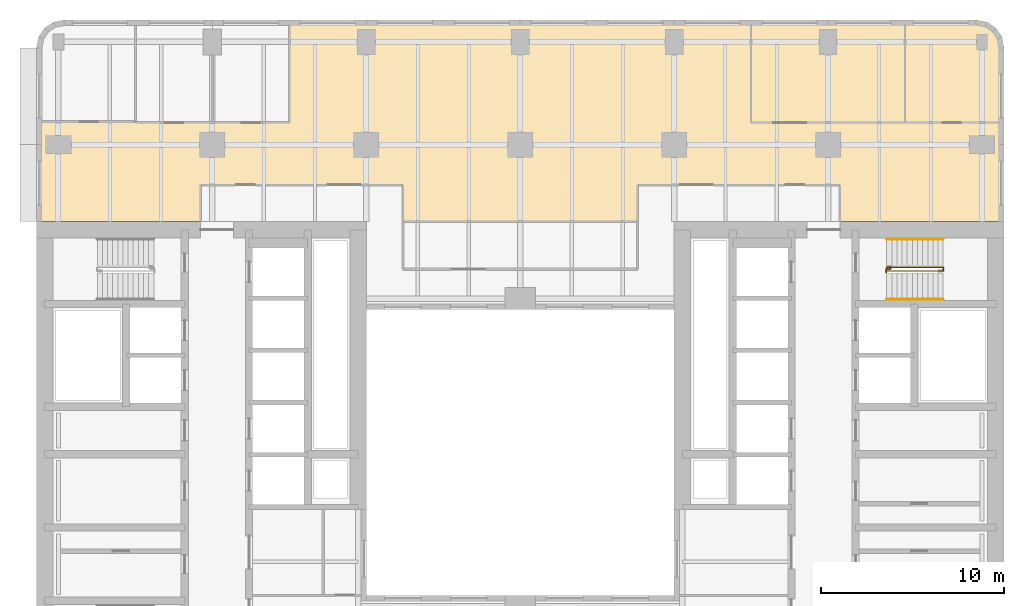
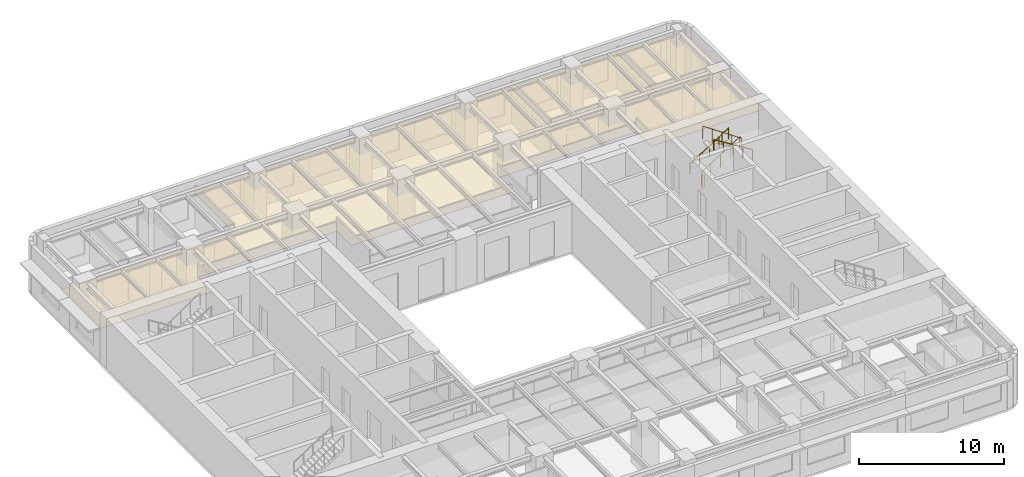
# One storey, part 11 of 11: 4 railings, 3 coverings.
"""IFC4 building model written with IfcOpenShell, lengths in metres."""

from ifc_helpers import new_model, si_unit, direction, frame, origin, origin_2d, place, context, subcontext, project, spatial, polyline, circle, outline, extrude, material, layer, layer_set, type_object, element, save


model = new_model("IFC4")

# Units and contexts
model_context = context("Model", 3, precision=1e-05, world=origin(), true_north=direction((0.0, 1.0)))
body_context = subcontext(model_context, "Body", "Model", "MODEL_VIEW")
ifc_project = project(units=[si_unit("LENGTHUNIT", "METRE"), si_unit("AREAUNIT", "SQUARE_METRE"), si_unit("VOLUMEUNIT", "CUBIC_METRE"), si_unit("PLANEANGLEUNIT", "RADIAN"), si_unit("MASSUNIT", "GRAM", prefix="KILO")], contexts=[model_context])

# Site, building, storey
site_placement = place(None, origin())
site = spatial("IfcSite", under=ifc_project, at=site_placement, CompositionType="ELEMENT")
building_placement = place(site_placement, origin())
building = spatial("IfcBuilding", under=site, at=building_placement, Name="Claustro Exchange Tower", CompositionType="ELEMENT")
storey_placement = place(building_placement, frame((0.0, 0.0, 109.199951171875)))
storey = spatial("IfcBuildingStorey", under=building, at=storey_placement, Name="L24", CompositionType="ELEMENT", Elevation=109.199951171875)

# Coverings
ifc_material_1 = material(Name="Perforated metal ceiling tiles", Category="steel")
ifc_layer_1 = layer(ifc_material_1, 0.030029296875)
ifc_layer_set_1 = layer_set([ifc_layer_1], Name="Perforated metal ceiling tiles")
covering_type_1 = type_object("IfcCoveringType", Name="CL1 suspended metal ceiling", PredefinedType="CEILING", material=ifc_layer_set_1)
covering_1_placement = place(storey_placement, frame((0.0, 0.0, 2.800048828125)))
element("IfcCovering", 1, at=covering_1_placement, inside=storey, type_object=covering_type_1, Name="Ceiling CL1 L24-16", PredefinedType="CEILING", context=body_context, shape_type="SweptSolid", body=[
    extrude(outline(polyline([(-1.199951171875, 43.25), (-1.199951171875, 37.800048828125), (7.75, 37.800048828125), (7.75, 39.800048828125), (16.800048828125, 39.800048828125), (18.800048828125, 39.800048828125), (18.800048828125, 37.800048828125), (31.60009765625, 37.800048828125), (31.60009765625, 39.800048828125), (33.60009765625, 39.800048828125), (42.64990234375, 39.800048828125), (42.64990234375, 37.800048828125), (51.60009765625, 37.800048828125), (51.60009765625, 43.199951171875), (46.199951171875, 43.199951171875), (37.800048828125, 43.199951171875), (37.800048828125, 48.800048828125), (12.60009765625, 48.800048828125), (12.60009765625, 43.199951171875), (8.39990234375, 43.199951171875), (4.199951171875, 43.199951171875), (4.199951171875, 43.25), (-1.199951171875, 43.25)])), origin(), (0.0, 0.0, 1.0), 0.030029296875),
])
ifc_material_2 = material(Name="Gypsum board ceiling", Category="gypsum board")
ifc_layer_2 = layer(ifc_material_2, 0.02490234375)
ifc_layer_set_2 = layer_set([ifc_layer_2], Name="Gypsum board ceiling")
covering_type_2 = type_object("IfcCoveringType", Name="CL2 plasterboard ceiling", PredefinedType="CEILING", material=ifc_layer_set_2)
covering_2_placement = place(storey_placement, frame((0.0, 0.0, 2.800048828125)))
element("IfcCovering", 2, at=covering_2_placement, inside=storey, type_object=covering_type_2, Name="Ceiling CL2 L24-20", PredefinedType="CEILING", context=body_context, shape_type="SweptSolid", body=[
    extrude(outline(polyline([(46.199951171875, 48.800048828125), (37.800048828125, 48.800048828125), (37.800048828125, 43.199951171875), (46.199951171875, 43.199951171875), (46.199951171875, 48.800048828125)])), origin(), (0.0, 0.0, 1.0), 0.02490234375),
])
covering_3_placement = place(storey_placement, frame((0.0, 0.0, 2.800048828125)))
element("IfcCovering", 3, at=covering_3_placement, inside=storey, type_object=covering_type_2, Name="Ceiling CL2 L24-21", PredefinedType="CEILING", context=body_context, shape_type="SweptSolid", body=[
    extrude(outline(polyline([(50.10009765625, 48.800048828125), (46.199951171875, 48.800048828125), (46.199951171875, 43.199951171875), (51.60009765625, 43.199951171875), (51.60009765625, 47.300048828125), (51.48583984375, 47.8740234375), (51.16064453125, 48.360595703125), (50.674072265625, 48.685791015625), (50.10009765625, 48.800048828125)])), origin(), (0.0, 0.0, 1.0), 0.02490234375),
])

# Railings
ifc_material_3 = material(Name="Steel balustrade, painted", Category="steel")
railing_type_1 = type_object("IfcRailingType", Name="GR2 1100 steel stair guard", PredefinedType="GUARDRAIL", material=ifc_material_3)
railing_1_placement = place(storey_placement, frame((45.199951171875, 35.300048828125, 0.175048828125)))
element("IfcRailing", 4, at=railing_1_placement, inside=storey, type_object=railing_type_1, Name="Stair well guard GR2 stair STEB L24", PredefinedType="GUARDRAIL", context=body_context, shape_type="SweptSolid", body=[
    extrude(circle(Radius=0.02392578125, at=origin_2d()), frame((0.0, 0.0, 1.076171875), z_axis=(0.847998304005, 0.0, 0.529998940003), x_axis=(0.0, 1.0, 0.0)), (0.0, 0.0, 1.0), 3.632080078125),
    extrude(circle(Radius=0.02392578125, at=origin_2d()), frame((3.080078125, 0.0, 3.0009765625), z_axis=(0.0, -1.0, 0.0), x_axis=(1.0, 0.0, 0.0)), (0.0, 0.0, 1.0), 0.199951171875),
    extrude(circle(Radius=0.02392578125, at=origin_2d()), frame((3.080078125, -0.199951171875, 3.0009765625), z_axis=(-0.826252282691, 0.0, 0.563300244406), x_axis=(0.0, -1.0, 0.0)), (0.0, 0.0, 1.0), 3.727783203125),
    extrude(circle(Radius=0.02099609375, at=origin_2d()), origin(), (0.0, 0.0, 1.0), 1.052001953125),
    extrude(circle(Radius=0.02099609375, at=origin_2d()), frame((0.77001953125, 0.0, 0.481201171875)), (0.0, 0.0, 1.0), 1.052001953125),
    extrude(circle(Radius=0.02099609375, at=origin_2d()), frame((1.5400390625, 0.0, 0.96240234375)), (0.0, 0.0, 1.0), 1.052001953125),
    extrude(circle(Radius=0.02099609375, at=origin_2d()), frame((2.31005859375, 0.0, 1.44384765625)), (0.0, 0.0, 1.0), 1.052001953125),
    extrude(circle(Radius=0.02099609375, at=origin_2d()), frame((3.080078125, 0.0, 1.925048828125)), (0.0, 0.0, 1.0), 1.052001953125),
    extrude(circle(Radius=0.02099609375, at=origin_2d()), frame((3.080078125, -0.199951171875, 1.925048828125)), (0.0, 0.0, 1.0), 1.052001953125),
    extrude(circle(Radius=0.02099609375, at=origin_2d()), frame((2.31005859375, -0.199951171875, 2.449951171875)), (0.0, 0.0, 1.0), 1.052001953125),
    extrude(circle(Radius=0.02099609375, at=origin_2d()), frame((1.5400390625, -0.199951171875, 2.97509765625)), (0.0, 0.0, 1.0), 1.052001953125),
    extrude(circle(Radius=0.02099609375, at=origin_2d()), frame((0.77001953125, -0.199951171875, 3.5)), (0.0, 0.0, 1.0), 1.052001953125),
    extrude(circle(Radius=0.02099609375, at=origin_2d()), frame((0.0, -0.199951171875, 4.02490234375)), (0.0, 0.0, 1.0), 1.052001953125),
])
railing_2_placement = place(storey_placement, frame((45.39990234375, 35.22998046875, 0.0)))
element("IfcRailing", 5, at=railing_2_placement, inside=storey, type_object=railing_type_1, Name="Stair guard GR2 STEB L24", PredefinedType="GUARDRAIL", context=body_context, shape_type="SweptSolid", body=[
    extrude(circle(Radius=0.02392578125, at=origin_2d()), frame((0.0, 0.0, 1.076171875), z_axis=(0.0, -1.0, 0.0), x_axis=(1.0, 0.0, 0.0)), (0.0, 0.0, 1.0), 0.030029296875),
    extrude(circle(Radius=0.02392578125, at=origin_2d()), frame((0.0, -0.030029296875, 1.076171875), z_axis=(-1.0, 0.0, 0.0), x_axis=(0.0, -1.0, 0.0)), (0.0, 0.0, 1.0), 0.224853515625),
    extrude(circle(Radius=0.02392578125, at=origin_2d()), frame((-0.224853515625, -0.030029296875, 1.076171875), z_axis=(0.0, -1.0, 0.0), x_axis=(1.0, 0.0, 0.0)), (0.0, 0.0, 1.0), 0.179931640625),
    extrude(circle(Radius=0.02099609375, at=origin_2d()), origin(), (0.0, 0.0, 1.0), 1.052001953125),
    extrude(circle(Radius=0.02099609375, at=origin_2d()), frame((0.0, -0.030029296875, 0.0)), (0.0, 0.0, 1.0), 1.052001953125),
    extrude(circle(Radius=0.02099609375, at=origin_2d()), frame((-0.224853515625, -0.030029296875, 0.0)), (0.0, 0.0, 1.0), 1.052001953125),
    extrude(circle(Radius=0.02099609375, at=origin_2d()), frame((-0.224853515625, -0.2099609375, 0.0)), (0.0, 0.0, 1.0), 1.052001953125),
])
ifc_material_4 = material(Name="Stainless steel tube", Category="steel")
railing_type_2 = type_object("IfcRailingType", Name="HR1 900 stair handrail", PredefinedType="HANDRAIL", material=ifc_material_4)
railing_3_placement = place(storey_placement, frame((45.199951171875, 36.840087890625, 0.175048828125)))
element("IfcRailing", 6, at=railing_3_placement, inside=storey, type_object=railing_type_2, Name="Handrail HR1 stair STEB L24", PredefinedType="HANDRAIL", context=body_context, shape_type="SweptSolid", body=[
    extrude(circle(Radius=0.02392578125, at=origin_2d()), frame((0.0, 0.0, 0.8759765625), z_axis=(0.847998304005, 0.0, 0.529998940003), x_axis=(0.0, 1.0, 0.0)), (0.0, 0.0, 1.0), 3.632080078125),
    extrude(circle(Radius=0.02099609375, at=origin_2d()), origin(), (0.0, 0.0, 1.0), 0.851806640625),
    extrude(circle(Radius=0.02099609375, at=origin_2d()), frame((0.77001953125, 0.0, 0.481201171875)), (0.0, 0.0, 1.0), 0.851806640625),
    extrude(circle(Radius=0.02099609375, at=origin_2d()), frame((1.5400390625, 0.0, 0.96240234375)), (0.0, 0.0, 1.0), 0.851806640625),
    extrude(circle(Radius=0.02099609375, at=origin_2d()), frame((2.31005859375, 0.0, 1.44384765625)), (0.0, 0.0, 1.0), 0.851806640625),
    extrude(circle(Radius=0.02099609375, at=origin_2d()), frame((3.080078125, 0.0, 1.925048828125)), (0.0, 0.0, 1.0), 0.851806640625),
])
railing_4_placement = place(storey_placement, frame((48.280029296875, 33.56005859375, 2.275146484375)))
element("IfcRailing", 7, at=railing_4_placement, inside=storey, type_object=railing_type_2, Name="Handrail HR1 stair STEB L24", PredefinedType="HANDRAIL", context=body_context, shape_type="SweptSolid", body=[
    extrude(circle(Radius=0.02392578125, at=origin_2d()), frame((0.0, 0.0, 0.8759765625), z_axis=(-0.848028513186, 0.0, 0.529950602248), x_axis=(0.0, -1.0, 0.0)), (0.0, 0.0, 1.0), 3.632080078125),
    extrude(circle(Radius=0.02099609375, at=origin_2d()), origin(), (0.0, 0.0, 1.0), 0.851806640625),
    extrude(circle(Radius=0.02099609375, at=origin_2d()), frame((-0.77001953125, 0.0, 0.481201171875)), (0.0, 0.0, 1.0), 0.851806640625),
    extrude(circle(Radius=0.02099609375, at=origin_2d()), frame((-1.5400390625, 0.0, 0.96240234375)), (0.0, 0.0, 1.0), 0.851806640625),
    extrude(circle(Radius=0.02099609375, at=origin_2d()), frame((-2.31005859375, 0.0, 1.443603515625)), (0.0, 0.0, 1.0), 0.851806640625),
    extrude(circle(Radius=0.02099609375, at=origin_2d()), frame((-3.080078125, 0.0, 1.9248046875)), (0.0, 0.0, 1.0), 0.851806640625),
])

save(model, "model.ifc")
